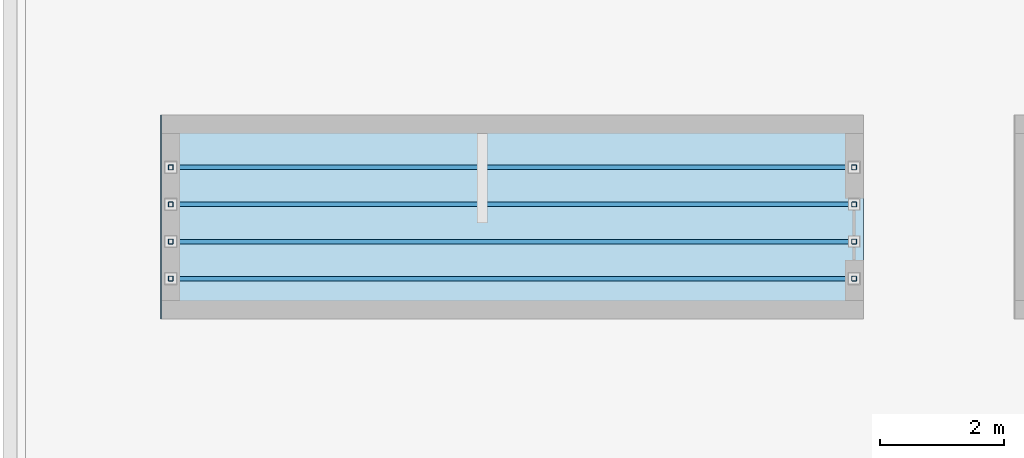
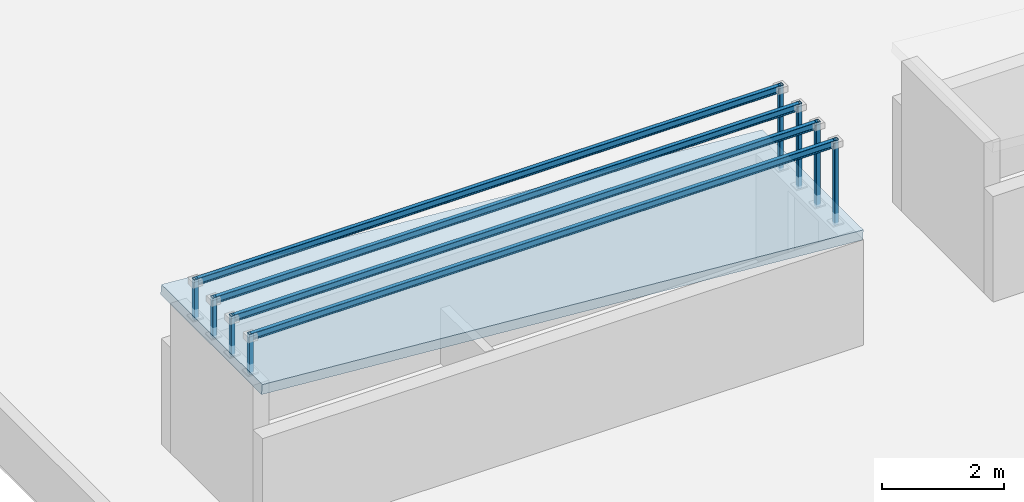
# One storey, part 1 of 3: 8 members, 4 beams, 1 slab.
"""IFC4 building model written with IfcOpenShell, lengths in metres."""

from ifc_helpers import new_model, si_unit, direction, frame, origin, origin_2d, place, context, subcontext, project, spatial, polyline, hollow_rectangle, i_section, outline, extrude, material, layer, layer_set, material_profile, profile_set, type_object, element, save


model = new_model("IFC4")

# Units and contexts
model_context = context("Model", 3, precision=1e-05, world=origin(), true_north=direction((0.0, 1.0)))
body_context = subcontext(model_context, "Body", "Model", "MODEL_VIEW")
ifc_project = project(units=[si_unit("LENGTHUNIT", "METRE"), si_unit("AREAUNIT", "SQUARE_METRE"), si_unit("VOLUMEUNIT", "CUBIC_METRE"), si_unit("PLANEANGLEUNIT", "RADIAN"), si_unit("MASSUNIT", "GRAM", prefix="KILO"), si_unit("POWERUNIT", "WATT"), si_unit("THERMODYNAMICTEMPERATUREUNIT", "KELVIN")], contexts=[model_context])

# Site, building, storey
site_placement = place(None, origin())
site = spatial("IfcSite", under=ifc_project, at=site_placement, CompositionType="ELEMENT")
building_placement = place(site_placement, origin())
building = spatial("IfcBuilding", under=site, at=building_placement, Name="Ruvembo Vaulted Housing Court", CompositionType="ELEMENT")
storey_placement = place(building_placement, frame((0.0, 0.0, 46.10009765625)))
storey = spatial("IfcBuildingStorey", under=building, at=storey_placement, Name="RF", CompositionType="ELEMENT", Elevation=46.10009765625)

# Beams
ifc_material_1 = material(Name="Steel S355J2", Category="steel")
ifc_material_profile_1 = material_profile(ifc_material_1, i_section(OverallWidth=0.072998046875, OverallDepth=0.139892578125, WebThickness=0.004638671875, FlangeThickness=0.0068359375, FilletRadius=0.007080078125, at=origin_2d()), Name="IPE 140")
ifc_profile_set_1 = profile_set([ifc_material_profile_1], Name="Steel S355J2")
beam_type = type_object("IfcBeamType", Name="BM-ST-IPE140", PredefinedType="JOIST", material=ifc_profile_set_1)
for number, where, z_axis, x_axis, name in (
    (1, (2.60009765625, 19.10009765625, 3.75), (1.0, 0.0, 0.0), (0.0, 1.0, 0.0), "Block A RF Pergola Steel Joist 1"),
    (2, (2.60009765625, 19.699951171875, 3.75), (1.0, 0.0, 0.0), (0.0, 1.0, 0.0), "Block A RF Pergola Steel Joist 2"),
    (3, (2.60009765625, 20.300048828125, 3.75), (1.0, 0.0, 0.0), (0.0, 1.0, 0.0), "Block A RF Pergola Steel Joist 3"),
    (4, (2.60009765625, 20.89990234375, 3.75), (1.0, 0.0, 0.0), (0.0, 1.0, 0.0), "Block A RF Pergola Steel Joist 4"),
):
    element("IfcBeam", number, at=place(storey_placement, frame(where, z_axis=z_axis, x_axis=x_axis)), inside=storey, type_object=beam_type, Name=name, PredefinedType="JOIST", context=body_context, shape_type="SweptSolid", body=[
        extrude(i_section(OverallWidth=0.072998046875, OverallDepth=0.139892578125, WebThickness=0.004638671875, FlangeThickness=0.0068359375, FilletRadius=0.007080078125, at=origin_2d()), origin(), (0.0, 0.0, 1.0), 11.0498046875),
    ])

# Members
ifc_material_profile_2 = material_profile(ifc_material_1, hollow_rectangle(XDim=0.080078125, YDim=0.080078125, WallThickness=0.0048828125, InnerFilletRadius=0.0048828125, OuterFilletRadius=0.010009765625, at=origin_2d()), Name="SHS 80x80x5")
ifc_profile_set_2 = profile_set([ifc_material_profile_2], Name="Steel S355J2")
member_type = type_object("IfcMemberType", Name="MEM-FRM-SHS80", PredefinedType="STRUT", material=ifc_profile_set_2)
member_1_placement = place(storey_placement, frame((2.60009765625, 19.10009765625, 3.010009765625), z_axis=(0.0, 0.0, 1.0), x_axis=(1.0, 0.0, 0.0)))
element("IfcMember", 5, at=member_1_placement, inside=storey, type_object=member_type, Name="Block A RF Pergola Steel Post 1A", PredefinedType="STRUT", context=body_context, shape_type="SweptSolid", body=[
    extrude(hollow_rectangle(XDim=0.080078125, YDim=0.080078125, WallThickness=0.0048828125, InnerFilletRadius=0.0048828125, OuterFilletRadius=0.010009765625, at=origin_2d()), origin(), (0.0, 0.0, 1.0), 0.809814453125),
])
member_2_placement = place(storey_placement, frame((13.64990234375, 19.10009765625, 2.125), z_axis=(0.0, 0.0, 1.0), x_axis=(1.0, 0.0, 0.0)))
element("IfcMember", 6, at=member_2_placement, inside=storey, type_object=member_type, Name="Block A RF Pergola Steel Post 1B", PredefinedType="STRUT", context=body_context, shape_type="SweptSolid", body=[
    extrude(hollow_rectangle(XDim=0.080078125, YDim=0.080078125, WallThickness=0.0048828125, InnerFilletRadius=0.0048828125, OuterFilletRadius=0.010009765625, at=origin_2d()), origin(), (0.0, 0.0, 1.0), 1.69482421875),
])
member_3_placement = place(storey_placement, frame((2.60009765625, 19.699951171875, 3.010009765625), z_axis=(0.0, 0.0, 1.0), x_axis=(1.0, 0.0, 0.0)))
element("IfcMember", 7, at=member_3_placement, inside=storey, type_object=member_type, Name="Block A RF Pergola Steel Post 2A", PredefinedType="STRUT", context=body_context, shape_type="SweptSolid", body=[
    extrude(hollow_rectangle(XDim=0.080078125, YDim=0.080078125, WallThickness=0.0048828125, InnerFilletRadius=0.0048828125, OuterFilletRadius=0.010009765625, at=origin_2d()), origin(), (0.0, 0.0, 1.0), 0.809814453125),
])
member_4_placement = place(storey_placement, frame((13.64990234375, 19.699951171875, 2.125), z_axis=(0.0, 0.0, 1.0), x_axis=(1.0, 0.0, 0.0)))
element("IfcMember", 8, at=member_4_placement, inside=storey, type_object=member_type, Name="Block A RF Pergola Steel Post 2B", PredefinedType="STRUT", context=body_context, shape_type="SweptSolid", body=[
    extrude(hollow_rectangle(XDim=0.080078125, YDim=0.080078125, WallThickness=0.0048828125, InnerFilletRadius=0.0048828125, OuterFilletRadius=0.010009765625, at=origin_2d()), origin(), (0.0, 0.0, 1.0), 1.69482421875),
])
member_5_placement = place(storey_placement, frame((2.60009765625, 20.300048828125, 3.010009765625), z_axis=(0.0, 0.0, 1.0), x_axis=(1.0, 0.0, 0.0)))
element("IfcMember", 9, at=member_5_placement, inside=storey, type_object=member_type, Name="Block A RF Pergola Steel Post 3A", PredefinedType="STRUT", context=body_context, shape_type="SweptSolid", body=[
    extrude(hollow_rectangle(XDim=0.080078125, YDim=0.080078125, WallThickness=0.0048828125, InnerFilletRadius=0.0048828125, OuterFilletRadius=0.010009765625, at=origin_2d()), origin(), (0.0, 0.0, 1.0), 0.809814453125),
])
member_6_placement = place(storey_placement, frame((13.64990234375, 20.300048828125, 2.125), z_axis=(0.0, 0.0, 1.0), x_axis=(1.0, 0.0, 0.0)))
element("IfcMember", 10, at=member_6_placement, inside=storey, type_object=member_type, Name="Block A RF Pergola Steel Post 3B", PredefinedType="STRUT", context=body_context, shape_type="SweptSolid", body=[
    extrude(hollow_rectangle(XDim=0.080078125, YDim=0.080078125, WallThickness=0.0048828125, InnerFilletRadius=0.0048828125, OuterFilletRadius=0.010009765625, at=origin_2d()), origin(), (0.0, 0.0, 1.0), 1.69482421875),
])
member_7_placement = place(storey_placement, frame((2.60009765625, 20.89990234375, 3.010009765625), z_axis=(0.0, 0.0, 1.0), x_axis=(1.0, 0.0, 0.0)))
element("IfcMember", 11, at=member_7_placement, inside=storey, type_object=member_type, Name="Block A RF Pergola Steel Post 4A", PredefinedType="STRUT", context=body_context, shape_type="SweptSolid", body=[
    extrude(hollow_rectangle(XDim=0.080078125, YDim=0.080078125, WallThickness=0.0048828125, InnerFilletRadius=0.0048828125, OuterFilletRadius=0.010009765625, at=origin_2d()), origin(), (0.0, 0.0, 1.0), 0.809814453125),
])
member_8_placement = place(storey_placement, frame((13.64990234375, 20.89990234375, 2.125), z_axis=(0.0, 0.0, 1.0), x_axis=(1.0, 0.0, 0.0)))
element("IfcMember", 12, at=member_8_placement, inside=storey, type_object=member_type, Name="Block A RF Pergola Steel Post 4B", PredefinedType="STRUT", context=body_context, shape_type="SweptSolid", body=[
    extrude(hollow_rectangle(XDim=0.080078125, YDim=0.080078125, WallThickness=0.0048828125, InnerFilletRadius=0.0048828125, OuterFilletRadius=0.010009765625, at=origin_2d()), origin(), (0.0, 0.0, 1.0), 1.69482421875),
])

# Slab
ifc_material_2 = material(Name="Concrete C30/37", Category="concrete")
ifc_layer = layer(ifc_material_2, 0.195068359375, Name="Concrete C30/37")
ifc_layer_set = layer_set([ifc_layer], Name="Concrete C30/37")
slab_type = type_object("IfcSlabType", Name="SL-ROOF-195", PredefinedType="ROOF", material=ifc_layer_set)
slab_placement = place(storey_placement, frame((2.449951171875, 18.449951171875, 3.22998046875), z_axis=(0.077737796626, 0.0, 0.996973838662), x_axis=(0.996973838662, 0.0, -0.077737796626)))
element("IfcSlab", 13, at=slab_placement, inside=storey, type_object=slab_type, Name="Core A1 RF Sloped Headhouse Shed Roof Slab", PredefinedType="ROOF", context=body_context, shape_type="SweptSolid", body=[
    extrude(outline(polyline([(0.0, 0.0), (11.384549138708277, 0.0), (11.384549138708277, 3.300048828125), (0.0, 3.300048828125), (0.0, 0.0)])), origin(), (0.0, 0.0, -1.0), 0.195068359375),
])

save(model, "model.ifc")
